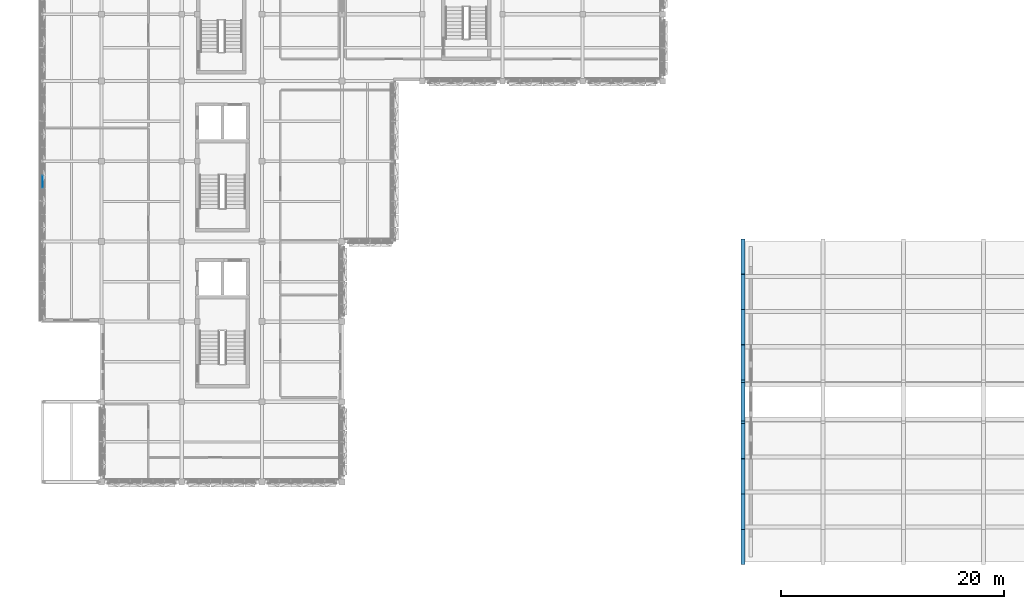
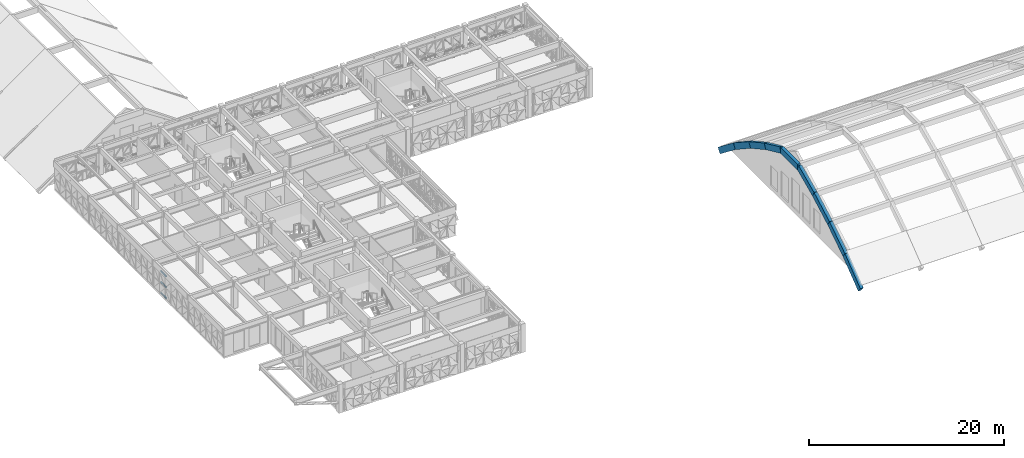
# One storey, part 5 of 48: 9 beams, 3 members, 1 element without a shape of its own.
"""IFC4 building model written with IfcOpenShell, lengths in metres."""

from ifc_helpers import new_model, si_unit, direction, frame, origin, origin_2d, place, context, subcontext, project, spatial, rectangle, extrude, material, material_profile, profile_set, type_object, element, aggregate, save


model = new_model("IFC4")

# Units and contexts
model_context = context("Model", 3, precision=1e-05, world=origin(), true_north=direction((0.0, 1.0)))
body_context = subcontext(model_context, "Body", "Model", "MODEL_VIEW")
ifc_project = project(units=[si_unit("LENGTHUNIT", "METRE"), si_unit("AREAUNIT", "SQUARE_METRE"), si_unit("VOLUMEUNIT", "CUBIC_METRE"), si_unit("PLANEANGLEUNIT", "RADIAN"), si_unit("MASSUNIT", "GRAM", prefix="KILO")], contexts=[model_context])

# Site, building, storey
site_placement = place(None, origin())
site = spatial("IfcSite", under=ifc_project, at=site_placement, CompositionType="ELEMENT")
building_placement = place(site_placement, origin())
building = spatial("IfcBuilding", under=site, at=building_placement, Name="Alvorim Cloister Faculty of Sciences", CompositionType="ELEMENT")
storey_placement = place(building_placement, frame((0.0, 0.0, 19.35009765625)))
storey = spatial("IfcBuildingStorey", under=building, at=storey_placement, Name="L05", CompositionType="ELEMENT", Elevation=19.35009765625)

# Beams
ifc_material_1 = material(Name="Concrete C40", Category="concrete")
ifc_material_profile_1 = material_profile(ifc_material_1, rectangle(XDim=0.360107421875, YDim=0.719970703125, at=origin_2d()), Name="RC40-ARCH-360x720")
ifc_profile_set_1 = profile_set([ifc_material_profile_1], Name="Concrete C40")
beam_type = type_object("IfcBeamType", Name="BM-ARCH-360x720", PredefinedType="BEAM", material=ifc_profile_set_1)
beam_1_placement = place(storey_placement, frame((64.800048828125, 0.0, -0.494384765625), z_axis=(0.0, 0.789348923038, 0.613944849069), x_axis=(-1.0, 0.0, 0.0)))
element("IfcBeam", 1, at=beam_1_placement, inside=storey, type_object=beam_type, Name="SH-V3 Pointed Arch Rib Chord BM-2384", PredefinedType="BEAM", context=body_context, shape_type="SweptSolid", body=[
    extrude(rectangle(XDim=0.360107421875, YDim=0.719970703125, at=origin_2d()), origin(), (0.0, 0.0, 1.0), 3.990478515625),
])
beam_2_placement = place(storey_placement, frame((64.800048828125, 3.14990234375, 1.95556640625), z_axis=(0.0, 0.836362754786, 0.548176378921), x_axis=(-1.0, 0.0, 0.0)))
element("IfcBeam", 2, at=beam_2_placement, inside=storey, type_object=beam_type, Name="SH-V3 Pointed Arch Rib Chord BM-2385", PredefinedType="BEAM", context=body_context, shape_type="SweptSolid", body=[
    extrude(rectangle(XDim=0.360107421875, YDim=0.719970703125, at=origin_2d()), origin(), (0.0, 0.0, 1.0), 3.7666015625),
])
beam_3_placement = place(storey_placement, frame((64.800048828125, 6.300048828125, 4.020263671875), z_axis=(0.0, 0.875903252887, 0.48248677866), x_axis=(-1.0, 0.0, 0.0)))
element("IfcBeam", 3, at=beam_3_placement, inside=storey, type_object=beam_type, Name="SH-V3 Pointed Arch Rib Chord BM-2386", PredefinedType="BEAM", context=body_context, shape_type="SweptSolid", body=[
    extrude(rectangle(XDim=0.360107421875, YDim=0.719970703125, at=origin_2d()), origin(), (0.0, 0.0, 1.0), 3.59619140625),
])
for number, where, z_axis, x_axis, name in (
    (4, (64.800048828125, 9.449951171875, 5.75537109375), (0.0, 0.909008111331, 0.416778422587), (-1.0, 0.0, 0.0), "SH-V3 Pointed Arch Rib Chord BM-2387"),
    (5, (64.800048828125, 16.199951171875, 7.19970703125), (0.0, 0.909008111331, -0.416778422587), (-1.0, 0.0, 0.0), "SH-V3 Pointed Arch Rib Chord BM-2388"),
):
    element("IfcBeam", number, at=place(storey_placement, frame(where, z_axis=z_axis, x_axis=x_axis)), inside=storey, type_object=beam_type, Name=name, PredefinedType="BEAM", context=body_context, shape_type="SweptSolid", body=[
        extrude(rectangle(XDim=0.360107421875, YDim=0.719970703125, at=origin_2d()), origin(), (0.0, 0.0, 1.0), 3.465576171875),
    ])
beam_4_placement = place(storey_placement, frame((64.800048828125, 19.35009765625, 5.75537109375), z_axis=(0.0, 0.875903252887, -0.48248677866), x_axis=(-1.0, 0.0, 0.0)))
element("IfcBeam", 6, at=beam_4_placement, inside=storey, type_object=beam_type, Name="SH-V3 Pointed Arch Rib Chord BM-2389", PredefinedType="BEAM", context=body_context, shape_type="SweptSolid", body=[
    extrude(rectangle(XDim=0.360107421875, YDim=0.719970703125, at=origin_2d()), origin(), (0.0, 0.0, 1.0), 3.59619140625),
])
beam_5_placement = place(storey_placement, frame((64.800048828125, 22.5, 4.020263671875), z_axis=(0.0, 0.83634327519, -0.548206098146), x_axis=(-1.0, 0.0, 0.0)))
element("IfcBeam", 7, at=beam_5_placement, inside=storey, type_object=beam_type, Name="SH-V3 Pointed Arch Rib Chord BM-2390", PredefinedType="BEAM", context=body_context, shape_type="SweptSolid", body=[
    extrude(rectangle(XDim=0.360107421875, YDim=0.719970703125, at=origin_2d()), origin(), (0.0, 0.0, 1.0), 3.766357421875),
])
beam_6_placement = place(storey_placement, frame((64.800048828125, 25.64990234375, 1.95556640625), z_axis=(0.0, 0.789371981973, -0.613915201046), x_axis=(-1.0, 0.0, 0.0)))
element("IfcBeam", 8, at=beam_6_placement, inside=storey, type_object=beam_type, Name="SH-V3 Pointed Arch Rib Chord BM-2391", PredefinedType="BEAM", context=body_context, shape_type="SweptSolid", body=[
    extrude(rectangle(XDim=0.360107421875, YDim=0.719970703125, at=origin_2d()), origin(), (0.0, 0.0, 1.0), 3.99072265625),
])
beam_7_placement = place(storey_placement, frame((64.800048828125, 12.659912109375, 7.194091796875), z_axis=(0.0, 1.0, 0.0), x_axis=(-1.0, 0.0, 0.0)))
element("IfcBeam", 9, at=beam_7_placement, inside=storey, type_object=beam_type, Name="L05 SH-V3 Arch Crown Tie BM-2392", PredefinedType="BEAM", context=body_context, shape_type="SweptSolid", body=[
    extrude(rectangle(XDim=0.360107421875, YDim=0.719970703125, at=origin_2d()), origin(), (0.0, 0.0, 1.0), 3.47998046875),
])

# Curtain wall, members
ifc_material_2 = material(Name="Aluminium and Low-E Glass Curtain Wall", Category="aluminium")
curtain_wall_type = type_object("IfcCurtainWallType", Name="CW-TRI-7040x2857", PredefinedType="USERDEFINED", material=ifc_material_2)
curtain_wall_placement = place(storey_placement, origin())
curtain_wall = element("IfcCurtainWall", 10, at=curtain_wall_placement, inside=storey, type_object=curtain_wall_type, Name="L05 Diagonal Cassette Curtain Wall CW-0215", ObjectType="UNITISED CURTAIN WALL", PredefinedType="USERDEFINED")
ifc_material_3 = material(Name="Aluminium Alloy 6063-T6", Category="aluminium")
ifc_material_profile_2 = material_profile(ifc_material_3, rectangle(XDim=0.06494140625, YDim=0.139892578125, at=origin_2d()), Name="ALU-TRN-65x140")
ifc_profile_set_2 = profile_set([ifc_material_profile_2], Name="Aluminium Alloy 6063-T6")
member_type = type_object("IfcMemberType", Name="CW-TRN-65x140", PredefinedType="USERDEFINED", material=ifc_profile_set_2)
member_1_placement = place(storey_placement, frame((1.889892578125, 33.605712890625, 0.06982421875), z_axis=(0.0, 1.0, 0.0), x_axis=(-1.0, 0.0, 0.0)))
member_1 = element("IfcMember", 11, at=member_1_placement, type_object=member_type, Name="CW-0215 Transom 5.1", ObjectType="TRANSOM", PredefinedType="USERDEFINED", context=body_context, shape_type="SweptSolid", body=[
    extrude(rectangle(XDim=0.06494140625, YDim=0.139892578125, at=origin_2d()), origin(), (0.0, 0.0, 1.0), 1.1083984375),
])
member_2_placement = place(storey_placement, frame((1.889892578125, 33.605712890625, 1.428466796875), z_axis=(0.0, 1.0, 0.0), x_axis=(-1.0, 0.0, 0.0)))
member_2 = element("IfcMember", 12, at=member_2_placement, type_object=member_type, Name="CW-0215 Transom 5.2", ObjectType="TRANSOM", PredefinedType="USERDEFINED", context=body_context, shape_type="SweptSolid", body=[
    extrude(rectangle(XDim=0.06494140625, YDim=0.139892578125, at=origin_2d()), origin(), (0.0, 0.0, 1.0), 1.1083984375),
])
member_3_placement = place(storey_placement, frame((1.889892578125, 33.605712890625, 2.786865234375), z_axis=(0.0, 1.0, 0.0), x_axis=(-1.0, 0.0, 0.0)))
member_3 = element("IfcMember", 13, at=member_3_placement, type_object=member_type, Name="CW-0215 Transom 5.3", ObjectType="TRANSOM", PredefinedType="USERDEFINED", context=body_context, shape_type="SweptSolid", body=[
    extrude(rectangle(XDim=0.06494140625, YDim=0.139892578125, at=origin_2d()), origin(), (0.0, 0.0, 1.0), 1.1083984375),
])
aggregate(curtain_wall, [member_1, member_2, member_3])

save(model, "model.ifc")
